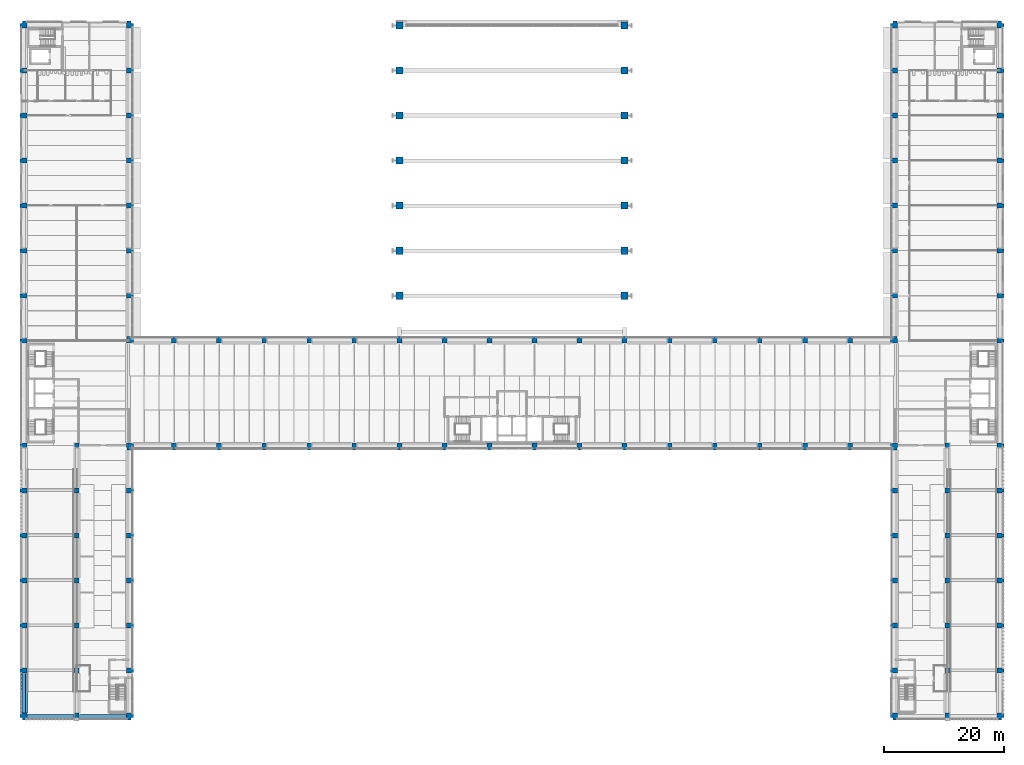
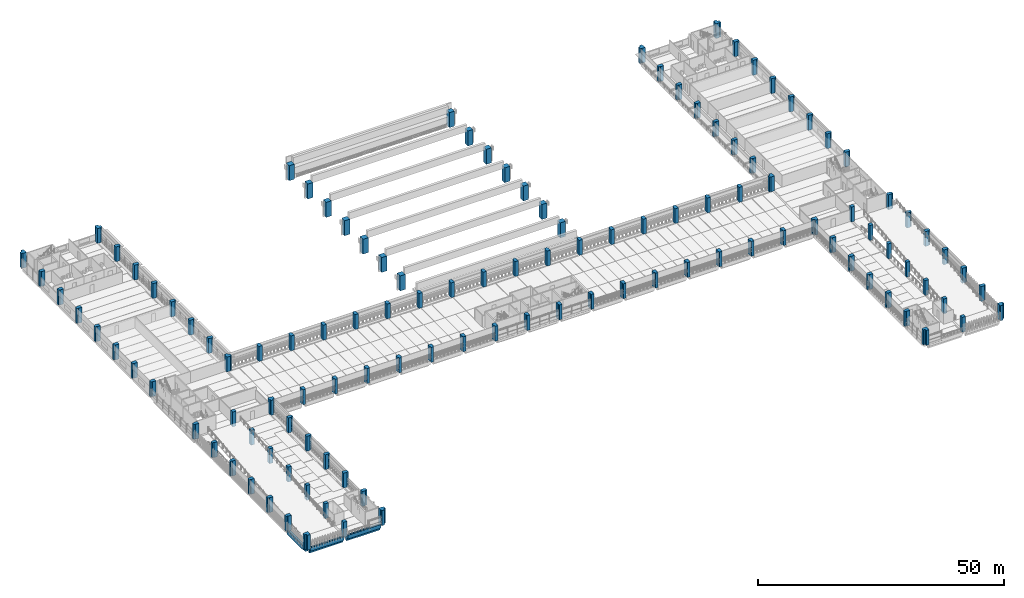
# One storey, part 1 of 61: 120 columns, 3 beams.
"""IFC4 building model written with IfcOpenShell, lengths in metres."""

from ifc_helpers import new_model, si_unit, direction, frame, origin, origin_2d, place, context, subcontext, project, spatial, polyline, rectangle, outline, extrude, material, material_profile, profile_set, type_object, element, save


model = new_model("IFC4")

# Units and contexts
model_context = context("Model", 3, precision=1e-05, world=origin(), true_north=direction((0.0, 1.0)))
body_context = subcontext(model_context, "Body", "Model", "MODEL_VIEW")
ifc_project = project(units=[si_unit("LENGTHUNIT", "METRE"), si_unit("AREAUNIT", "SQUARE_METRE"), si_unit("VOLUMEUNIT", "CUBIC_METRE"), si_unit("PLANEANGLEUNIT", "RADIAN"), si_unit("MASSUNIT", "GRAM", prefix="KILO")], contexts=[model_context])

# Site, building, storey
site_placement = place(None, origin())
site = spatial("IfcSite", under=ifc_project, at=site_placement, CompositionType="ELEMENT")
building_placement = place(site_placement, origin())
building = spatial("IfcBuilding", under=site, at=building_placement, Name="Cour d'Honneur Mobility Palace", CompositionType="ELEMENT")
storey_placement = place(building_placement, frame((0.0, 0.0, 11.89990234375)))
storey = spatial("IfcBuildingStorey", under=building, at=storey_placement, Name="L03", CompositionType="ELEMENT", Elevation=11.89990234375)

# Columns
ifc_material_1 = material(Name="Concrete C50", Category="concrete")
ifc_material_profile_1 = material_profile(ifc_material_1, rectangle(XDim=1.199951171875, YDim=1.199951171875, at=origin_2d()), Name="Hall pier 1200x1200")
ifc_profile_set_1 = profile_set([ifc_material_profile_1], Name="Concrete C50")
column_type_1 = type_object("IfcColumnType", Name="Hall pier 1200x1200", PredefinedType="COLUMN", material=ifc_profile_set_1)
for number, where, z_axis, x_axis, name in (
    (1, (62.39990234375, 69.89990234375, 0.0), (0.0, 0.0, 1.0), (1.0, 0.0, 0.0), "Hall pier HP-W2"),
    (2, (99.89990234375, 69.89990234375, 0.0), (0.0, 0.0, 1.0), (1.0, 0.0, 0.0), "Hall pier HP-E2"),
    (3, (62.39990234375, 77.39990234375, 0.0), (0.0, 0.0, 1.0), (1.0, 0.0, 0.0), "Hall pier HP-W3"),
    (4, (99.89990234375, 77.39990234375, 0.0), (0.0, 0.0, 1.0), (1.0, 0.0, 0.0), "Hall pier HP-E3"),
    (5, (62.39990234375, 84.89990234375, 0.0), (0.0, 0.0, 1.0), (1.0, 0.0, 0.0), "Hall pier HP-W4"),
    (6, (99.89990234375, 84.89990234375, 0.0), (0.0, 0.0, 1.0), (1.0, 0.0, 0.0), "Hall pier HP-E4"),
    (7, (62.39990234375, 92.39990234375, 0.0), (0.0, 0.0, 1.0), (1.0, 0.0, 0.0), "Hall pier HP-W5"),
    (8, (99.89990234375, 92.39990234375, 0.0), (0.0, 0.0, 1.0), (1.0, 0.0, 0.0), "Hall pier HP-E5"),
    (9, (62.39990234375, 99.89990234375, 0.0), (0.0, 0.0, 1.0), (1.0, 0.0, 0.0), "Hall pier HP-W6"),
    (10, (99.89990234375, 99.89990234375, 0.0), (0.0, 0.0, 1.0), (1.0, 0.0, 0.0), "Hall pier HP-E6"),
    (11, (62.39990234375, 107.39990234375, 0.0), (0.0, 0.0, 1.0), (1.0, 0.0, 0.0), "Hall pier HP-W7"),
    (12, (99.89990234375, 107.39990234375, 0.0), (0.0, 0.0, 1.0), (1.0, 0.0, 0.0), "Hall pier HP-E7"),
    (13, (62.39990234375, 114.89990234375, 0.0), (0.0, 0.0, 1.0), (1.0, 0.0, 0.0), "Hall pier HP-W8"),
    (14, (99.89990234375, 114.89990234375, 0.0), (0.0, 0.0, 1.0), (1.0, 0.0, 0.0), "Hall pier HP-E8"),
):
    element("IfcColumn", number, at=place(storey_placement, frame(where, z_axis=z_axis, x_axis=x_axis)), inside=storey, type_object=column_type_1, Name=name, PredefinedType="COLUMN", context=body_context, shape_type="SweptSolid", body=[
        extrude(rectangle(XDim=1.199951171875, YDim=1.199951171875, at=origin_2d()), origin(), (0.0, 0.0, 1.0), 3.7001953125),
    ])
ifc_material_2 = material(Name="Concrete C50", Category="concrete")
ifc_material_profile_2 = material_profile(ifc_material_2, outline(polyline([(-0.39990234375, -0.39990234375), (0.39990234375, -0.39990234375), (0.39990234375, -0.300048828125), (0.75, -0.300048828125), (0.75, 0.300048828125), (0.39990234375, 0.300048828125), (0.39990234375, 0.39990234375), (0.300048828125, 0.39990234375), (0.300048828125, 0.75), (-0.300048828125, 0.75), (-0.300048828125, 0.39990234375), (-0.39990234375, 0.39990234375), (-0.39990234375, -0.39990234375)])), Name="PC C800 corner")
ifc_profile_set_2 = profile_set([ifc_material_profile_2], Name="Concrete C50")
column_type_2 = type_object("IfcColumnType", Name="Precast Column 800 corner", PredefinedType="COLUMN", material=ifc_profile_set_2)
for number, where, z_axis, x_axis, name in (
    (15, (0.0, 0.0, 0.0), (0.0, 0.0, 1.0), (-1.0, 0.0, 0.0), "Precast column C4 1/A L03"),
    (16, (17.39990234375, 0.0, 0.0), (0.0, 0.0, 1.0), (0.0, -1.0, 0.0), "Precast column C4 2/A L03"),
    (17, (144.89990234375, 0.0, 0.0), (0.0, 0.0, 1.0), (-1.0, 0.0, 0.0), "Precast column C4 19/A L03"),
    (18, (162.300048828125, 0.0, 0.0), (0.0, 0.0, 1.0), (0.0, -1.0, 0.0), "Precast column C4 20/A L03"),
    (19, (17.39990234375, 45.0, 0.0), (0.0, 0.0, 1.0), (0.0, -1.0, 0.0), "Precast column C4 2/G L03"),
    (20, (144.89990234375, 45.0, 0.0), (0.0, 0.0, 1.0), (-1.0, 0.0, 0.0), "Precast column C4 19/G L03"),
    (21, (17.39990234375, 62.39990234375, 0.0), (0.0, 0.0, 1.0), (1.0, 0.0, 0.0), "Precast column C4 2/H L03"),
    (22, (144.89990234375, 62.39990234375, 0.0), (0.0, 0.0, 1.0), (0.0, 1.0, 0.0), "Precast column C4 19/H L03"),
    (23, (0.0, 114.89990234375, 0.0), (0.0, 0.0, 1.0), (0.0, 1.0, 0.0), "Precast column C4 1/Q L03"),
    (24, (17.39990234375, 114.89990234375, 0.0), (0.0, 0.0, 1.0), (1.0, 0.0, 0.0), "Precast column C4 2/Q L03"),
    (25, (144.89990234375, 114.89990234375, 0.0), (0.0, 0.0, 1.0), (0.0, 1.0, 0.0), "Precast column C4 19/Q L03"),
    (26, (162.300048828125, 114.89990234375, 0.0), (0.0, 0.0, 1.0), (1.0, 0.0, 0.0), "Precast column C4 20/Q L03"),
):
    element("IfcColumn", number, at=place(storey_placement, frame(where, z_axis=z_axis, x_axis=x_axis)), inside=storey, type_object=column_type_2, Name=name, PredefinedType="COLUMN", context=body_context, shape_type="SweptSolid", body=[
        extrude(outline(polyline([(-0.39990234375, -0.39990234375), (0.39990234375, -0.39990234375), (0.39990234375, -0.300048828125), (0.75, -0.300048828125), (0.75, 0.300048828125), (0.39990234375, 0.300048828125), (0.39990234375, 0.39990234375), (0.300048828125, 0.39990234375), (0.300048828125, 0.75), (-0.300048828125, 0.75), (-0.300048828125, 0.39990234375), (-0.39990234375, 0.39990234375), (-0.39990234375, -0.39990234375)])), origin(), (0.0, 0.0, 1.0), 3.7001953125),
    ])
ifc_material_3 = material(Name="Concrete C50", Category="concrete")
ifc_material_profile_3 = material_profile(ifc_material_3, outline(polyline([(-0.39990234375, -0.39990234375), (0.39990234375, -0.39990234375), (0.39990234375, -0.300048828125), (0.75, -0.300048828125), (0.75, 0.300048828125), (0.39990234375, 0.300048828125), (0.39990234375, 0.39990234375), (-0.39990234375, 0.39990234375), (-0.39990234375, -0.39990234375)])), Name="PC C800 pilaster")
ifc_profile_set_3 = profile_set([ifc_material_profile_3], Name="Concrete C50")
column_type_3 = type_object("IfcColumnType", Name="Precast Column 800 pilaster", PredefinedType="COLUMN", material=ifc_profile_set_3)
for number, where, z_axis, x_axis, name in (
    (27, (0.0, 7.5, 0.0), (0.0, 0.0, 1.0), (-1.0, 0.0, 0.0), "Precast column C6 1/B L03"),
    (28, (17.39990234375, 7.5, 0.0), (0.0, 0.0, 1.0), (1.0, 0.0, 0.0), "Precast column C6 2/B L03"),
    (29, (144.89990234375, 7.5, 0.0), (0.0, 0.0, 1.0), (-1.0, 0.0, 0.0), "Precast column C6 19/B L03"),
    (30, (162.300048828125, 7.5, 0.0), (0.0, 0.0, 1.0), (1.0, 0.0, 0.0), "Precast column C6 20/B L03"),
    (31, (0.0, 15.0, 0.0), (0.0, 0.0, 1.0), (-1.0, 0.0, 0.0), "Precast column C6 1/C L03"),
    (32, (17.39990234375, 15.0, 0.0), (0.0, 0.0, 1.0), (1.0, 0.0, 0.0), "Precast column C6 2/C L03"),
    (33, (144.89990234375, 15.0, 0.0), (0.0, 0.0, 1.0), (-1.0, 0.0, 0.0), "Precast column C6 19/C L03"),
    (34, (162.300048828125, 15.0, 0.0), (0.0, 0.0, 1.0), (1.0, 0.0, 0.0), "Precast column C6 20/C L03"),
    (35, (0.0, 22.5, 0.0), (0.0, 0.0, 1.0), (-1.0, 0.0, 0.0), "Precast column C6 1/D L03"),
    (36, (17.39990234375, 22.5, 0.0), (0.0, 0.0, 1.0), (1.0, 0.0, 0.0), "Precast column C6 2/D L03"),
    (37, (144.89990234375, 22.5, 0.0), (0.0, 0.0, 1.0), (-1.0, 0.0, 0.0), "Precast column C6 19/D L03"),
    (38, (162.300048828125, 22.5, 0.0), (0.0, 0.0, 1.0), (1.0, 0.0, 0.0), "Precast column C6 20/D L03"),
    (39, (0.0, 30.0, 0.0), (0.0, 0.0, 1.0), (-1.0, 0.0, 0.0), "Precast column C6 1/E L03"),
    (40, (17.39990234375, 30.0, 0.0), (0.0, 0.0, 1.0), (1.0, 0.0, 0.0), "Precast column C6 2/E L03"),
    (41, (144.89990234375, 30.0, 0.0), (0.0, 0.0, 1.0), (-1.0, 0.0, 0.0), "Precast column C6 19/E L03"),
    (42, (162.300048828125, 30.0, 0.0), (0.0, 0.0, 1.0), (1.0, 0.0, 0.0), "Precast column C6 20/E L03"),
    (43, (0.0, 37.5, 0.0), (0.0, 0.0, 1.0), (-1.0, 0.0, 0.0), "Precast column C6 1/F L03"),
    (44, (17.39990234375, 37.5, 0.0), (0.0, 0.0, 1.0), (1.0, 0.0, 0.0), "Precast column C6 2/F L03"),
    (45, (144.89990234375, 37.5, 0.0), (0.0, 0.0, 1.0), (-1.0, 0.0, 0.0), "Precast column C6 19/F L03"),
    (46, (162.300048828125, 37.5, 0.0), (0.0, 0.0, 1.0), (1.0, 0.0, 0.0), "Precast column C6 20/F L03"),
    (47, (0.0, 45.0, 0.0), (0.0, 0.0, 1.0), (-1.0, 0.0, 0.0), "Precast column C6 1/G L03"),
    (48, (24.89990234375, 45.0, 0.0), (0.0, 0.0, 1.0), (0.0, -1.0, 0.0), "Precast column C6 3/G L03"),
    (49, (32.39990234375, 45.0, 0.0), (0.0, 0.0, 1.0), (0.0, -1.0, 0.0), "Precast column C6 4/G L03"),
    (50, (39.89990234375, 45.0, 0.0), (0.0, 0.0, 1.0), (0.0, -1.0, 0.0), "Precast column C6 5/G L03"),
    (51, (47.39990234375, 45.0, 0.0), (0.0, 0.0, 1.0), (0.0, -1.0, 0.0), "Precast column C6 6/G L03"),
    (52, (54.89990234375, 45.0, 0.0), (0.0, 0.0, 1.0), (0.0, -1.0, 0.0), "Precast column C6 7/G L03"),
    (53, (62.39990234375, 45.0, 0.0), (0.0, 0.0, 1.0), (0.0, -1.0, 0.0), "Precast column C6 8/G L03"),
    (54, (69.89990234375, 45.0, 0.0), (0.0, 0.0, 1.0), (0.0, -1.0, 0.0), "Precast column C6 9/G L03"),
    (55, (77.39990234375, 45.0, 0.0), (0.0, 0.0, 1.0), (0.0, -1.0, 0.0), "Precast column C6 10/G L03"),
    (56, (84.89990234375, 45.0, 0.0), (0.0, 0.0, 1.0), (0.0, -1.0, 0.0), "Precast column C6 11/G L03"),
    (57, (92.39990234375, 45.0, 0.0), (0.0, 0.0, 1.0), (0.0, -1.0, 0.0), "Precast column C6 12/G L03"),
    (58, (99.89990234375, 45.0, 0.0), (0.0, 0.0, 1.0), (0.0, -1.0, 0.0), "Precast column C6 13/G L03"),
    (59, (107.39990234375, 45.0, 0.0), (0.0, 0.0, 1.0), (0.0, -1.0, 0.0), "Precast column C6 14/G L03"),
    (60, (114.89990234375, 45.0, 0.0), (0.0, 0.0, 1.0), (0.0, -1.0, 0.0), "Precast column C6 15/G L03"),
    (61, (122.39990234375, 45.0, 0.0), (0.0, 0.0, 1.0), (0.0, -1.0, 0.0), "Precast column C6 16/G L03"),
    (62, (129.89990234375, 45.0, 0.0), (0.0, 0.0, 1.0), (0.0, -1.0, 0.0), "Precast column C6 17/G L03"),
    (63, (137.39990234375, 45.0, 0.0), (0.0, 0.0, 1.0), (0.0, -1.0, 0.0), "Precast column C6 18/G L03"),
    (64, (162.300048828125, 45.0, 0.0), (0.0, 0.0, 1.0), (1.0, 0.0, 0.0), "Precast column C6 20/G L03"),
    (65, (0.0, 62.39990234375, 0.0), (0.0, 0.0, 1.0), (-1.0, 0.0, 0.0), "Precast column C6 1/H L03"),
    (66, (24.89990234375, 62.39990234375, 0.0), (0.0, 0.0, 1.0), (0.0, 1.0, 0.0), "Precast column C6 3/H L03"),
    (67, (32.39990234375, 62.39990234375, 0.0), (0.0, 0.0, 1.0), (0.0, 1.0, 0.0), "Precast column C6 4/H L03"),
    (68, (39.89990234375, 62.39990234375, 0.0), (0.0, 0.0, 1.0), (0.0, 1.0, 0.0), "Precast column C6 5/H L03"),
    (69, (47.39990234375, 62.39990234375, 0.0), (0.0, 0.0, 1.0), (0.0, 1.0, 0.0), "Precast column C6 6/H L03"),
    (70, (54.89990234375, 62.39990234375, 0.0), (0.0, 0.0, 1.0), (0.0, 1.0, 0.0), "Precast column C6 7/H L03"),
    (71, (62.39990234375, 62.39990234375, 0.0), (0.0, 0.0, 1.0), (0.0, 1.0, 0.0), "Precast column C6 8/H L03"),
    (72, (69.89990234375, 62.39990234375, 0.0), (0.0, 0.0, 1.0), (0.0, 1.0, 0.0), "Precast column C6 9/H L03"),
    (73, (77.39990234375, 62.39990234375, 0.0), (0.0, 0.0, 1.0), (0.0, 1.0, 0.0), "Precast column C6 10/H L03"),
    (74, (84.89990234375, 62.39990234375, 0.0), (0.0, 0.0, 1.0), (0.0, 1.0, 0.0), "Precast column C6 11/H L03"),
    (75, (92.39990234375, 62.39990234375, 0.0), (0.0, 0.0, 1.0), (0.0, 1.0, 0.0), "Precast column C6 12/H L03"),
    (76, (99.89990234375, 62.39990234375, 0.0), (0.0, 0.0, 1.0), (0.0, 1.0, 0.0), "Precast column C6 13/H L03"),
    (77, (107.39990234375, 62.39990234375, 0.0), (0.0, 0.0, 1.0), (0.0, 1.0, 0.0), "Precast column C6 14/H L03"),
    (78, (114.89990234375, 62.39990234375, 0.0), (0.0, 0.0, 1.0), (0.0, 1.0, 0.0), "Precast column C6 15/H L03"),
    (79, (122.39990234375, 62.39990234375, 0.0), (0.0, 0.0, 1.0), (0.0, 1.0, 0.0), "Precast column C6 16/H L03"),
    (80, (129.89990234375, 62.39990234375, 0.0), (0.0, 0.0, 1.0), (0.0, 1.0, 0.0), "Precast column C6 17/H L03"),
    (81, (137.39990234375, 62.39990234375, 0.0), (0.0, 0.0, 1.0), (0.0, 1.0, 0.0), "Precast column C6 18/H L03"),
    (82, (162.300048828125, 62.39990234375, 0.0), (0.0, 0.0, 1.0), (1.0, 0.0, 0.0), "Precast column C6 20/H L03"),
    (83, (0.0, 69.89990234375, 0.0), (0.0, 0.0, 1.0), (-1.0, 0.0, 0.0), "Precast column C6 1/J L03"),
    (84, (17.39990234375, 69.89990234375, 0.0), (0.0, 0.0, 1.0), (1.0, 0.0, 0.0), "Precast column C6 2/J L03"),
    (85, (144.89990234375, 69.89990234375, 0.0), (0.0, 0.0, 1.0), (-1.0, 0.0, 0.0), "Precast column C6 19/J L03"),
    (86, (162.300048828125, 69.89990234375, 0.0), (0.0, 0.0, 1.0), (1.0, 0.0, 0.0), "Precast column C6 20/J L03"),
    (87, (0.0, 77.39990234375, 0.0), (0.0, 0.0, 1.0), (-1.0, 0.0, 0.0), "Precast column C6 1/K L03"),
    (88, (17.39990234375, 77.39990234375, 0.0), (0.0, 0.0, 1.0), (1.0, 0.0, 0.0), "Precast column C6 2/K L03"),
    (89, (144.89990234375, 77.39990234375, 0.0), (0.0, 0.0, 1.0), (-1.0, 0.0, 0.0), "Precast column C6 19/K L03"),
    (90, (162.300048828125, 77.39990234375, 0.0), (0.0, 0.0, 1.0), (1.0, 0.0, 0.0), "Precast column C6 20/K L03"),
    (91, (0.0, 84.89990234375, 0.0), (0.0, 0.0, 1.0), (-1.0, 0.0, 0.0), "Precast column C6 1/L L03"),
    (92, (17.39990234375, 84.89990234375, 0.0), (0.0, 0.0, 1.0), (1.0, 0.0, 0.0), "Precast column C6 2/L L03"),
    (93, (144.89990234375, 84.89990234375, 0.0), (0.0, 0.0, 1.0), (-1.0, 0.0, 0.0), "Precast column C6 19/L L03"),
    (94, (162.300048828125, 84.89990234375, 0.0), (0.0, 0.0, 1.0), (1.0, 0.0, 0.0), "Precast column C6 20/L L03"),
    (95, (0.0, 92.39990234375, 0.0), (0.0, 0.0, 1.0), (-1.0, 0.0, 0.0), "Precast column C6 1/M L03"),
    (96, (17.39990234375, 92.39990234375, 0.0), (0.0, 0.0, 1.0), (1.0, 0.0, 0.0), "Precast column C6 2/M L03"),
    (97, (144.89990234375, 92.39990234375, 0.0), (0.0, 0.0, 1.0), (-1.0, 0.0, 0.0), "Precast column C6 19/M L03"),
    (98, (162.300048828125, 92.39990234375, 0.0), (0.0, 0.0, 1.0), (1.0, 0.0, 0.0), "Precast column C6 20/M L03"),
    (99, (0.0, 99.89990234375, 0.0), (0.0, 0.0, 1.0), (-1.0, 0.0, 0.0), "Precast column C6 1/N L03"),
    (100, (17.39990234375, 99.89990234375, 0.0), (0.0, 0.0, 1.0), (1.0, 0.0, 0.0), "Precast column C6 2/N L03"),
    (101, (144.89990234375, 99.89990234375, 0.0), (0.0, 0.0, 1.0), (-1.0, 0.0, 0.0), "Precast column C6 19/N L03"),
    (102, (162.300048828125, 99.89990234375, 0.0), (0.0, 0.0, 1.0), (1.0, 0.0, 0.0), "Precast column C6 20/N L03"),
    (103, (0.0, 107.39990234375, 0.0), (0.0, 0.0, 1.0), (-1.0, 0.0, 0.0), "Precast column C6 1/P L03"),
    (104, (17.39990234375, 107.39990234375, 0.0), (0.0, 0.0, 1.0), (1.0, 0.0, 0.0), "Precast column C6 2/P L03"),
    (105, (144.89990234375, 107.39990234375, 0.0), (0.0, 0.0, 1.0), (-1.0, 0.0, 0.0), "Precast column C6 19/P L03"),
    (106, (162.300048828125, 107.39990234375, 0.0), (0.0, 0.0, 1.0), (1.0, 0.0, 0.0), "Precast column C6 20/P L03"),
):
    element("IfcColumn", number, at=place(storey_placement, frame(where, z_axis=z_axis, x_axis=x_axis)), inside=storey, type_object=column_type_3, Name=name, PredefinedType="COLUMN", context=body_context, shape_type="SweptSolid", body=[
        extrude(outline(polyline([(-0.39990234375, -0.39990234375), (0.39990234375, -0.39990234375), (0.39990234375, -0.300048828125), (0.75, -0.300048828125), (0.75, 0.300048828125), (0.39990234375, 0.300048828125), (0.39990234375, 0.39990234375), (-0.39990234375, 0.39990234375), (-0.39990234375, -0.39990234375)])), origin(), (0.0, 0.0, 1.0), 3.7001953125),
    ])
ifc_material_4 = material(Name="Concrete C50", Category="concrete")
ifc_material_profile_4 = material_profile(ifc_material_4, outline(polyline([(-0.39990234375, -0.39990234375), (0.39990234375, -0.39990234375), (0.39990234375, 0.39990234375), (-0.39990234375, 0.39990234375), (-0.39990234375, -0.39990234375)])), Name="PC C800 plain")
ifc_profile_set_4 = profile_set([ifc_material_profile_4], Name="Concrete C50")
column_type_4 = type_object("IfcColumnType", Name="Precast Column 800 plain", PredefinedType="COLUMN", material=ifc_profile_set_4)
for number, where, z_axis, x_axis, name in (
    (107, (8.699951171875, 0.0, 0.0), (0.0, 0.0, 1.0), (1.0, 0.0, 0.0), "Precast column C5 1A/A L03"),
    (108, (153.60009765625, 0.0, 0.0), (0.0, 0.0, 1.0), (1.0, 0.0, 0.0), "Precast column C5 19A/A L03"),
    (109, (8.699951171875, 7.5, 0.0), (0.0, 0.0, 1.0), (1.0, 0.0, 0.0), "Precast column C5 1A/B L03"),
    (110, (153.60009765625, 7.5, 0.0), (0.0, 0.0, 1.0), (1.0, 0.0, 0.0), "Precast column C5 19A/B L03"),
    (111, (8.699951171875, 15.0, 0.0), (0.0, 0.0, 1.0), (1.0, 0.0, 0.0), "Precast column C5 1A/C L03"),
    (112, (153.60009765625, 15.0, 0.0), (0.0, 0.0, 1.0), (1.0, 0.0, 0.0), "Precast column C5 19A/C L03"),
    (113, (8.699951171875, 22.5, 0.0), (0.0, 0.0, 1.0), (1.0, 0.0, 0.0), "Precast column C5 1A/D L03"),
    (114, (153.60009765625, 22.5, 0.0), (0.0, 0.0, 1.0), (1.0, 0.0, 0.0), "Precast column C5 19A/D L03"),
    (115, (8.699951171875, 30.0, 0.0), (0.0, 0.0, 1.0), (1.0, 0.0, 0.0), "Precast column C5 1A/E L03"),
    (116, (153.60009765625, 30.0, 0.0), (0.0, 0.0, 1.0), (1.0, 0.0, 0.0), "Precast column C5 19A/E L03"),
    (117, (8.699951171875, 37.5, 0.0), (0.0, 0.0, 1.0), (1.0, 0.0, 0.0), "Precast column C5 1A/F L03"),
    (118, (153.60009765625, 37.5, 0.0), (0.0, 0.0, 1.0), (1.0, 0.0, 0.0), "Precast column C5 19A/F L03"),
    (119, (8.699951171875, 45.0, 0.0), (0.0, 0.0, 1.0), (1.0, 0.0, 0.0), "Precast column C5 1A/G L03"),
    (120, (153.60009765625, 45.0, 0.0), (0.0, 0.0, 1.0), (1.0, 0.0, 0.0), "Precast column C5 19A/G L03"),
):
    element("IfcColumn", number, at=place(storey_placement, frame(where, z_axis=z_axis, x_axis=x_axis)), inside=storey, type_object=column_type_4, Name=name, PredefinedType="COLUMN", context=body_context, shape_type="SweptSolid", body=[
        extrude(outline(polyline([(-0.39990234375, -0.39990234375), (0.39990234375, -0.39990234375), (0.39990234375, 0.39990234375), (-0.39990234375, 0.39990234375), (-0.39990234375, -0.39990234375)])), origin(), (0.0, 0.0, 1.0), 3.7001953125),
    ])

# Beams
ifc_material_5 = material(Name="Concrete C45", Category="concrete")
ifc_material_profile_5 = material_profile(ifc_material_5, outline(polyline([(0.22509765625, -1.300048828125), (0.22509765625, 0.0), (-0.22509765625, 0.0), (-0.449951171875, 0.0), (-0.449951171875, 0.300048828125), (-0.64990234375, 0.300048828125), (-0.64990234375, -0.60009765625), (-0.22509765625, -0.60009765625), (-0.22509765625, -1.300048828125), (0.22509765625, -1.300048828125)])), Name="Edge Spandrel Beam 450x1300 no ledge facade right")
ifc_profile_set_5 = profile_set([ifc_material_profile_5], Name="Concrete C45")
beam_type_1 = type_object("IfcBeamType", Name="Edge Spandrel Beam 450x1300 no ledge facade right", PredefinedType="SPANDREL", material=ifc_profile_set_5)
for number, where, z_axis, x_axis, name in (
    (121, (0.449951171875, 0.0, 0.0), (1.0, 0.0, 0.0), (0.0, 1.0, 0.0), "Precast beam B1 1-1A L03"),
    (122, (9.14990234375, 0.0, 0.0), (1.0, 0.0, 0.0), (0.0, 1.0, 0.0), "Precast beam B1 1A-2 L03"),
):
    element("IfcBeam", number, at=place(storey_placement, frame(where, z_axis=z_axis, x_axis=x_axis)), inside=storey, type_object=beam_type_1, Name=name, PredefinedType="SPANDREL", context=body_context, shape_type="SweptSolid", body=[
        extrude(outline(polyline([(0.22509765625, -1.300048828125), (0.22509765625, 0.0), (-0.22509765625, 0.0), (-0.449951171875, 0.0), (-0.449951171875, 0.300048828125), (-0.64990234375, 0.300048828125), (-0.64990234375, -0.60009765625), (-0.22509765625, -0.60009765625), (-0.22509765625, -1.300048828125), (0.22509765625, -1.300048828125)])), origin(), (0.0, 0.0, 1.0), 7.800048828125),
    ])
ifc_material_6 = material(Name="Concrete C45", Category="concrete")
ifc_material_profile_6 = material_profile(ifc_material_6, outline(polyline([(0.199951171875, -1.10009765625), (0.199951171875, -0.60009765625), (0.64990234375, -0.60009765625), (0.64990234375, 0.300048828125), (0.449951171875, 0.300048828125), (0.449951171875, 0.0), (0.199951171875, 0.0), (-0.199951171875, 0.0), (-0.199951171875, -0.800048828125), (-0.5, -0.800048828125), (-0.5, -1.10009765625), (0.199951171875, -1.10009765625)])), Name="Ledger Beam 400x1100 ledge right 300 facade left")
ifc_profile_set_6 = profile_set([ifc_material_profile_6], Name="Concrete C45")
beam_type_2 = type_object("IfcBeamType", Name="Ledger Beam 400x1100 ledge right 300 facade left", PredefinedType="BEAM", material=ifc_profile_set_6)
beam_placement = place(storey_placement, frame((0.0, 0.449951171875, 0.0), z_axis=(0.0, 1.0, 0.0), x_axis=(-1.0, 0.0, 0.0)))
element("IfcBeam", 123, at=beam_placement, inside=storey, type_object=beam_type_2, Name="Precast beam B6 A-B L03", PredefinedType="BEAM", context=body_context, shape_type="SweptSolid", body=[
    extrude(outline(polyline([(0.199951171875, -1.10009765625), (0.199951171875, -0.60009765625), (0.64990234375, -0.60009765625), (0.64990234375, 0.300048828125), (0.449951171875, 0.300048828125), (0.449951171875, 0.0), (0.199951171875, 0.0), (-0.199951171875, 0.0), (-0.199951171875, -0.800048828125), (-0.5, -0.800048828125), (-0.5, -1.10009765625), (0.199951171875, -1.10009765625)])), origin(), (0.0, 0.0, 1.0), 6.60009765625),
])

save(model, "model.ifc")
